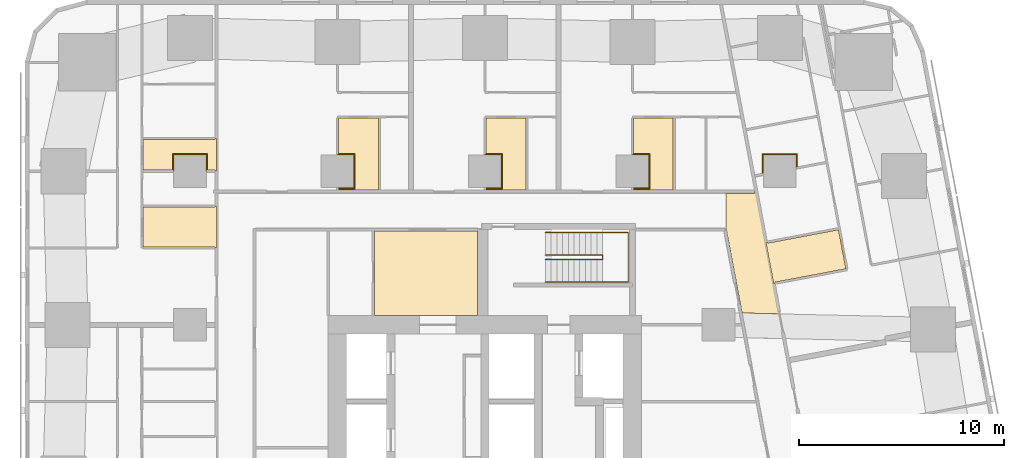
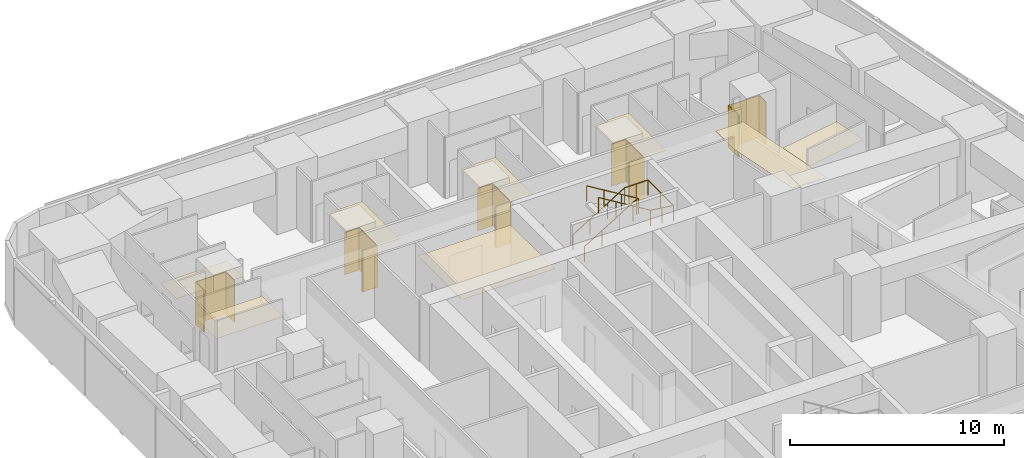
# One storey, part 16 of 16: 13 coverings, 2 railings.
"""IFC4 building model written with IfcOpenShell, lengths in metres."""

from ifc_helpers import new_model, si_unit, direction, frame, origin, origin_2d, place, context, subcontext, project, spatial, polyline, circle, outline, extrude, material, layer, layer_set, type_object, element, save


model = new_model("IFC4")

# Units and contexts
model_context = context("Model", 3, precision=1e-05, world=origin(), true_north=direction((0.0, 1.0)))
body_context = subcontext(model_context, "Body", "Model", "MODEL_VIEW")
ifc_project = project(units=[si_unit("LENGTHUNIT", "METRE"), si_unit("AREAUNIT", "SQUARE_METRE"), si_unit("VOLUMEUNIT", "CUBIC_METRE"), si_unit("PLANEANGLEUNIT", "RADIAN"), si_unit("MASSUNIT", "GRAM", prefix="KILO")], contexts=[model_context])

# Site, building, storey
site_placement = place(None, origin())
site = spatial("IfcSite", under=ifc_project, at=site_placement, CompositionType="ELEMENT")
building_placement = place(site_placement, origin())
building = spatial("IfcBuilding", under=site, at=building_placement, Name="Sheger Commons Tower", CompositionType="ELEMENT")
storey_placement = place(building_placement, frame((0.0, 0.0, 89.14990234375)))
storey = spatial("IfcBuildingStorey", under=building, at=storey_placement, Name="L22", CompositionType="ELEMENT", Elevation=89.14990234375)

# Railings
ifc_material_1 = material(Name="Steel handrail, black powder-coated", Category="steel")
railing_type = type_object("IfcRailingType", Name="HANDRAIL 900", PredefinedType="HANDRAIL", material=ifc_material_1)
railing_1_placement = place(storey_placement, frame((24.550048828125, 33.39990234375, 0.170654296875)))
element("IfcRailing", 1, at=railing_1_placement, inside=storey, type_object=railing_type, Name="Stair S2 handrail L22", PredefinedType="HANDRAIL", context=body_context, shape_type="SweptSolid", body=[
    extrude(circle(Radius=0.02392578125, at=origin_2d()), frame((0.0, 0.0, 0.8759765625), z_axis=(0.854202870247, 0.0, 0.519939858505), x_axis=(0.0, 1.0, 0.0)), (0.0, 0.0, 1.0), 3.278076171875),
    extrude(circle(Radius=0.02392578125, at=origin_2d()), frame((2.800048828125, 0.0, 2.580078125), z_axis=(0.0, -0.760631612298, 0.649183757016), x_axis=(1.0, 0.0, 0.0)), (0.0, 0.0, 1.0), 0.262939453125),
    extrude(circle(Radius=0.02392578125, at=origin_2d()), frame((2.800048828125, -0.199951171875, 2.7509765625), z_axis=(-0.854202870247, 0.0, 0.519939858505), x_axis=(0.0, -1.0, 0.0)), (0.0, 0.0, 1.0), 3.278076171875),
    extrude(circle(Radius=0.02099609375, at=origin_2d()), origin(), (0.0, 0.0, 1.0), 0.851806640625),
    extrude(circle(Radius=0.02099609375, at=origin_2d()), frame((0.933349609375, 0.0, 0.568115234375)), (0.0, 0.0, 1.0), 0.851806640625),
    extrude(circle(Radius=0.02099609375, at=origin_2d()), frame((1.86669921875, 0.0, 1.13623046875)), (0.0, 0.0, 1.0), 0.851806640625),
    extrude(circle(Radius=0.02099609375, at=origin_2d()), frame((2.800048828125, 0.0, 1.704345703125)), (0.0, 0.0, 1.0), 0.851806640625),
    extrude(circle(Radius=0.02099609375, at=origin_2d()), frame((2.800048828125, -0.199951171875, 1.875)), (0.0, 0.0, 1.0), 0.851806640625),
    extrude(circle(Radius=0.02099609375, at=origin_2d()), frame((1.86669921875, -0.199951171875, 2.443115234375)), (0.0, 0.0, 1.0), 0.851806640625),
    extrude(circle(Radius=0.02099609375, at=origin_2d()), frame((0.933349609375, -0.199951171875, 3.01123046875)), (0.0, 0.0, 1.0), 0.851806640625),
    extrude(circle(Radius=0.02099609375, at=origin_2d()), frame((0.0, -0.199951171875, 3.579345703125)), (0.0, 0.0, 1.0), 0.851806640625),
])
railing_2_placement = place(storey_placement, frame((24.550048828125, 34.5, 0.170654296875)))
element("IfcRailing", 2, at=railing_2_placement, inside=storey, type_object=railing_type, Name="Stair S2 handrail L22", PredefinedType="HANDRAIL", context=body_context, shape_type="SweptSolid", body=[
    extrude(circle(Radius=0.02392578125, at=origin_2d()), frame((0.0, 0.0, 0.8759765625), z_axis=(0.854202870247, 0.0, 0.519939858505), x_axis=(0.0, 1.0, 0.0)), (0.0, 0.0, 1.0), 3.278076171875),
    extrude(circle(Radius=0.02392578125, at=origin_2d()), frame((2.800048828125, 0.0, 2.580078125), z_axis=(1.0, 0.0, 0.0), x_axis=(0.0, 1.0, 0.0)), (0.0, 0.0, 1.0), 1.25),
    extrude(circle(Radius=0.02392578125, at=origin_2d()), frame((4.050048828125, 0.0, 2.580078125), z_axis=(0.0, -1.0, 0.0), x_axis=(1.0, 0.0, 0.0)), (0.0, 0.0, 1.0), 2.39990234375),
    extrude(circle(Radius=0.02392578125, at=origin_2d()), frame((4.050048828125, -2.39990234375, 2.580078125), z_axis=(-0.990808959222, 0.0, 0.135268645019), x_axis=(0.0, -1.0, 0.0)), (0.0, 0.0, 1.0), 1.261474609375),
    extrude(circle(Radius=0.02392578125, at=origin_2d()), frame((2.800048828125, -2.39990234375, 2.7509765625), z_axis=(-0.854202870247, 0.0, 0.519939858505), x_axis=(0.0, -1.0, 0.0)), (0.0, 0.0, 1.0), 3.278076171875),
    extrude(circle(Radius=0.02099609375, at=origin_2d()), origin(), (0.0, 0.0, 1.0), 0.851806640625),
    extrude(circle(Radius=0.02099609375, at=origin_2d()), frame((0.933349609375, 0.0, 0.568115234375)), (0.0, 0.0, 1.0), 0.851806640625),
    extrude(circle(Radius=0.02099609375, at=origin_2d()), frame((1.86669921875, 0.0, 1.13623046875)), (0.0, 0.0, 1.0), 0.851806640625),
    extrude(circle(Radius=0.02099609375, at=origin_2d()), frame((2.800048828125, 0.0, 1.704345703125)), (0.0, 0.0, 1.0), 0.851806640625),
    extrude(circle(Radius=0.02099609375, at=origin_2d()), frame((3.425048828125, 0.0, 1.704345703125)), (0.0, 0.0, 1.0), 0.851806640625),
    extrude(circle(Radius=0.02099609375, at=origin_2d()), frame((4.050048828125, 0.0, 1.704345703125)), (0.0, 0.0, 1.0), 0.851806640625),
    extrude(circle(Radius=0.02099609375, at=origin_2d()), frame((4.050048828125, -1.199951171875, 1.704345703125)), (0.0, 0.0, 1.0), 0.851806640625),
    extrude(circle(Radius=0.02099609375, at=origin_2d()), frame((4.050048828125, -2.39990234375, 1.704345703125)), (0.0, 0.0, 1.0), 0.851806640625),
    extrude(circle(Radius=0.02099609375, at=origin_2d()), frame((3.425048828125, -2.39990234375, 1.78955078125)), (0.0, 0.0, 1.0), 0.851806640625),
    extrude(circle(Radius=0.02099609375, at=origin_2d()), frame((2.800048828125, -2.39990234375, 1.875)), (0.0, 0.0, 1.0), 0.851806640625),
    extrude(circle(Radius=0.02099609375, at=origin_2d()), frame((1.86669921875, -2.39990234375, 2.443115234375)), (0.0, 0.0, 1.0), 0.851806640625),
    extrude(circle(Radius=0.02099609375, at=origin_2d()), frame((0.933349609375, -2.39990234375, 3.01123046875)), (0.0, 0.0, 1.0), 0.851806640625),
    extrude(circle(Radius=0.02099609375, at=origin_2d()), frame((0.0, -2.39990234375, 3.579345703125)), (0.0, 0.0, 1.0), 0.851806640625),
])

# Coverings
ifc_material_2 = material(Name="Moisture-resistant gypsum plasterboard 15 mm on a suspended galvanised steel grid", Category="steel")
ifc_layer_1 = layer(ifc_material_2, 0.014892578125)
ifc_layer_set_1 = layer_set([ifc_layer_1], Name="MOISTURE-RESISTANT CEILING 15")
covering_type_1 = type_object("IfcCoveringType", Name="MOISTURE-RESISTANT CEILING 15", PredefinedType="CEILING", material=ifc_layer_set_1)
covering_1_placement = place(storey_placement, frame((0.0, 0.0, 2.400146484375)))
element("IfcCovering", 3, at=covering_1_placement, inside=storey, type_object=covering_type_1, Name="L22-04.B1 ceiling", PredefinedType="CEILING", context=body_context, shape_type="SweptSolid", body=[
    extrude(outline(polyline([(8.429931640625, 33.75), (8.5, 33.75), (8.5, 35.800048828125), (8.429931640625, 35.800048828125), (8.429931640625, 35.7451171875), (4.905029296875, 35.7451171875), (4.905029296875, 33.804931640625), (8.429931640625, 33.804931640625), (8.429931640625, 33.75)])), origin(), (0.0, 0.0, 1.0), 0.014892578125),
])
covering_2_placement = place(storey_placement, frame((0.0, 0.0, 2.400146484375)))
element("IfcCovering", 4, at=covering_2_placement, inside=storey, type_object=covering_type_1, Name="L22-04.B2 ceiling", PredefinedType="CEILING", context=body_context, shape_type="SweptSolid", body=[
    extrude(outline(polyline([(8.429931640625, 37.5), (8.5, 37.5), (8.5, 39.10009765625), (8.429931640625, 39.10009765625), (8.429931640625, 39.044921875), (4.905029296875, 39.044921875), (4.905029296875, 37.554931640625), (6.39501953125, 37.554931640625), (6.39501953125, 38.304931640625), (8.0048828125, 38.304931640625), (8.0048828125, 37.554931640625), (8.429931640625, 37.554931640625), (8.429931640625, 37.5)])), origin(), (0.0, 0.0, 1.0), 0.014892578125),
])
covering_3_placement = place(storey_placement, frame((0.0, 0.0, 2.400146484375)))
element("IfcCovering", 5, at=covering_3_placement, inside=storey, type_object=covering_type_1, Name="L22-09.B1 ceiling", PredefinedType="CEILING", context=body_context, shape_type="SweptSolid", body=[
    extrude(outline(polyline([(35.701904296875, 32.014892578125), (35.77099609375, 32.028076171875), (35.760986328125, 32.08203125), (39.22412109375, 32.736083984375), (38.864013671875, 34.64208984375), (35.40087890625, 33.988037109375), (35.39111328125, 34.0419921875), (35.322021484375, 34.029052734375), (35.701904296875, 32.014892578125)])), origin(), (0.0, 0.0, 1.0), 0.014892578125),
])
covering_4_placement = place(storey_placement, frame((0.0, 0.0, 2.400146484375)))
element("IfcCovering", 6, at=covering_4_placement, inside=storey, type_object=covering_type_1, Name="L22-12.B1 ceiling", PredefinedType="CEILING", context=body_context, shape_type="SweptSolid", body=[
    extrude(outline(polyline([(14.455078125, 36.580078125), (16.39501953125, 36.580078125), (16.39501953125, 40.094970703125), (14.455078125, 40.094970703125), (14.455078125, 38.304931640625), (15.205078125, 38.304931640625), (15.205078125, 36.695068359375), (14.455078125, 36.695068359375), (14.455078125, 36.580078125)])), origin(), (0.0, 0.0, 1.0), 0.014892578125),
])
covering_5_placement = place(storey_placement, frame((0.0, 0.0, 2.400146484375)))
element("IfcCovering", 7, at=covering_5_placement, inside=storey, type_object=covering_type_1, Name="L22-13.B1 ceiling", PredefinedType="CEILING", context=body_context, shape_type="SweptSolid", body=[
    extrude(outline(polyline([(21.655029296875, 36.580078125), (23.594970703125, 36.580078125), (23.594970703125, 40.094970703125), (21.655029296875, 40.094970703125), (21.655029296875, 38.304931640625), (22.405029296875, 38.304931640625), (22.405029296875, 36.695068359375), (21.655029296875, 36.695068359375), (21.655029296875, 36.580078125)])), origin(), (0.0, 0.0, 1.0), 0.014892578125),
])
covering_6_placement = place(storey_placement, frame((0.0, 0.0, 2.400146484375)))
element("IfcCovering", 8, at=covering_6_placement, inside=storey, type_object=covering_type_1, Name="L22-14.B1 ceiling", PredefinedType="CEILING", context=body_context, shape_type="SweptSolid", body=[
    extrude(outline(polyline([(28.85498046875, 36.580078125), (30.794921875, 36.580078125), (30.794921875, 40.094970703125), (28.85498046875, 40.094970703125), (28.85498046875, 38.304931640625), (29.60498046875, 38.304931640625), (29.60498046875, 36.695068359375), (28.85498046875, 36.695068359375), (28.85498046875, 36.580078125)])), origin(), (0.0, 0.0, 1.0), 0.014892578125),
])
ifc_material_3 = material(Name="Gypsum plasterboard 15 mm on a suspended steel grid", Category="steel")
ifc_layer_2 = layer(ifc_material_3, 0.014892578125)
ifc_layer_set_2 = layer_set([ifc_layer_2], Name="SUSPENDED CEILING 15")
covering_type_2 = type_object("IfcCoveringType", Name="SUSPENDED CEILING 15", PredefinedType="CEILING", material=ifc_layer_set_2)
covering_7_placement = place(storey_placement, frame((0.0, 0.0, 2.7001953125)))
element("IfcCovering", 9, at=covering_7_placement, inside=storey, type_object=covering_type_2, Name="L22-CO ceiling", PredefinedType="CEILING", context=body_context, shape_type="SweptSolid", body=[
    extrude(outline(polyline([(35.98095703125, 30.5380859375), (34.85498046875, 36.5), (34.77001953125, 36.5), (34.77001953125, 36.419921875), (33.365966796875, 36.419921875), (33.365966796875, 34.699951171875), (33.365966796875, 34.697998046875), (33.364013671875, 34.697998046875), (33.382080078125, 34.60205078125), (33.39892578125, 34.60498046875), (34.159912109375, 30.5791015625), (35.98095703125, 30.5380859375)])), origin(), (0.0, 0.0, 1.0), 0.014892578125),
])
covering_8_placement = place(storey_placement, frame((0.0, 0.0, 2.7001953125)))
element("IfcCovering", 10, at=covering_8_placement, inside=storey, type_object=covering_type_2, Name="L22-SVN1 ceiling", PredefinedType="CEILING", context=body_context, shape_type="SweptSolid", body=[
    extrude(outline(polyline([(16.217041015625, 30.455078125), (21.2451171875, 30.455078125), (21.2451171875, 34.58203125), (16.217041015625, 34.58203125), (16.217041015625, 30.455078125)])), origin(), (0.0, 0.0, 1.0), 0.014892578125),
])
ifc_material_4 = material(Name="Moisture-resistant gypsum board 12.5 mm on 25 mm treated timber battens, tanked and tiled", Category="wood")
ifc_layer_3 = layer(ifc_material_4, 0.050048828125)
ifc_layer_set_3 = layer_set([ifc_layer_3], Name="WET-ROOM COLUMN LINING")
covering_type_3 = type_object("IfcCoveringType", Name="WET-ROOM COLUMN LINING", PredefinedType="CLADDING", material=ifc_layer_set_3)
covering_9_placement = place(storey_placement, origin())
element("IfcCovering", 11, at=covering_9_placement, inside=storey, type_object=covering_type_3, Name="Shower room column lining C9 L22", PredefinedType="CLADDING", context=body_context, shape_type="SweptSolid", body=[
    extrude(outline(polyline([(8.050048828125, 38.35009765625), (8.050048828125, 37.550048828125), (8.0009765625, 37.550048828125), (8.0009765625, 37.5), (8.0, 37.5), (8.0, 38.300048828125), (6.39990234375, 38.300048828125), (6.39990234375, 37.5), (6.39892578125, 37.5), (6.39892578125, 37.550048828125), (6.35009765625, 37.550048828125), (6.35009765625, 38.35009765625), (8.050048828125, 38.35009765625)])), origin(), (0.0, 0.0, 1.0), 2.400146484375),
])
covering_10_placement = place(storey_placement, origin())
element("IfcCovering", 12, at=covering_10_placement, inside=storey, type_object=covering_type_3, Name="Bathroom column lining C9 L22", PredefinedType="CLADDING", context=body_context, shape_type="SweptSolid", body=[
    extrude(outline(polyline([(15.25, 36.64990234375), (14.449951171875, 36.64990234375), (14.449951171875, 36.698974609375), (14.39990234375, 36.698974609375), (14.39990234375, 36.699951171875), (15.199951171875, 36.699951171875), (15.199951171875, 38.300048828125), (14.39990234375, 38.300048828125), (14.39990234375, 38.301025390625), (14.449951171875, 38.301025390625), (14.449951171875, 38.35009765625), (15.25, 38.35009765625), (15.25, 36.64990234375)])), origin(), (0.0, 0.0, 1.0), 2.400146484375),
])
covering_11_placement = place(storey_placement, origin())
element("IfcCovering", 13, at=covering_11_placement, inside=storey, type_object=covering_type_3, Name="Bathroom column lining C9 L22", PredefinedType="CLADDING", context=body_context, shape_type="SweptSolid", body=[
    extrude(outline(polyline([(22.449951171875, 36.64990234375), (21.64990234375, 36.64990234375), (21.64990234375, 36.698974609375), (21.60009765625, 36.698974609375), (21.60009765625, 36.699951171875), (22.39990234375, 36.699951171875), (22.39990234375, 38.300048828125), (21.60009765625, 38.300048828125), (21.60009765625, 38.301025390625), (21.64990234375, 38.301025390625), (21.64990234375, 38.35009765625), (22.449951171875, 38.35009765625), (22.449951171875, 36.64990234375)])), origin(), (0.0, 0.0, 1.0), 2.400146484375),
])
covering_12_placement = place(storey_placement, origin())
element("IfcCovering", 14, at=covering_12_placement, inside=storey, type_object=covering_type_3, Name="Bathroom column lining C9 L22", PredefinedType="CLADDING", context=body_context, shape_type="SweptSolid", body=[
    extrude(outline(polyline([(29.64990234375, 36.64990234375), (28.85009765625, 36.64990234375), (28.85009765625, 36.698974609375), (28.800048828125, 36.698974609375), (28.800048828125, 36.699951171875), (29.60009765625, 36.699951171875), (29.60009765625, 38.300048828125), (28.800048828125, 38.300048828125), (28.800048828125, 38.301025390625), (28.85009765625, 38.301025390625), (28.85009765625, 38.35009765625), (29.64990234375, 38.35009765625), (29.64990234375, 36.64990234375)])), origin(), (0.0, 0.0, 1.0), 2.400146484375),
])
covering_13_placement = place(storey_placement, origin())
element("IfcCovering", 15, at=covering_13_placement, inside=storey, type_object=covering_type_3, Name="Laundry room column lining C9 L22", PredefinedType="CLADDING", context=body_context, shape_type="SweptSolid", body=[
    extrude(outline(polyline([(36.85009765625, 38.35009765625), (36.85009765625, 37.7109375), (36.801025390625, 37.701904296875), (36.81005859375, 37.654052734375), (36.800048828125, 37.652099609375), (36.800048828125, 38.300048828125), (35.199951171875, 38.300048828125), (35.199951171875, 37.34912109375), (35.18994140625, 37.346923828125), (35.180908203125, 37.39599609375), (35.14990234375, 37.389892578125), (35.14990234375, 38.35009765625), (36.85009765625, 38.35009765625)])), origin(), (0.0, 0.0, 1.0), 2.400146484375),
])

save(model, "model.ifc")
